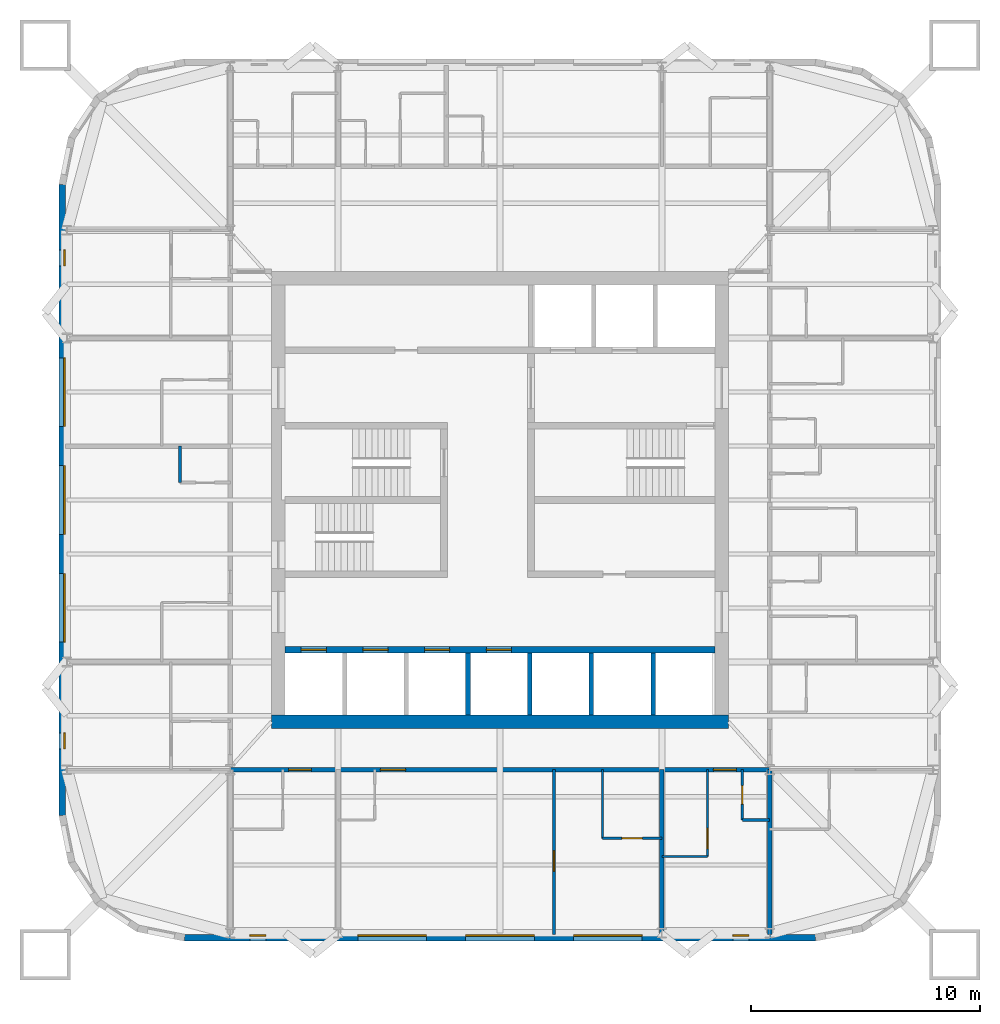
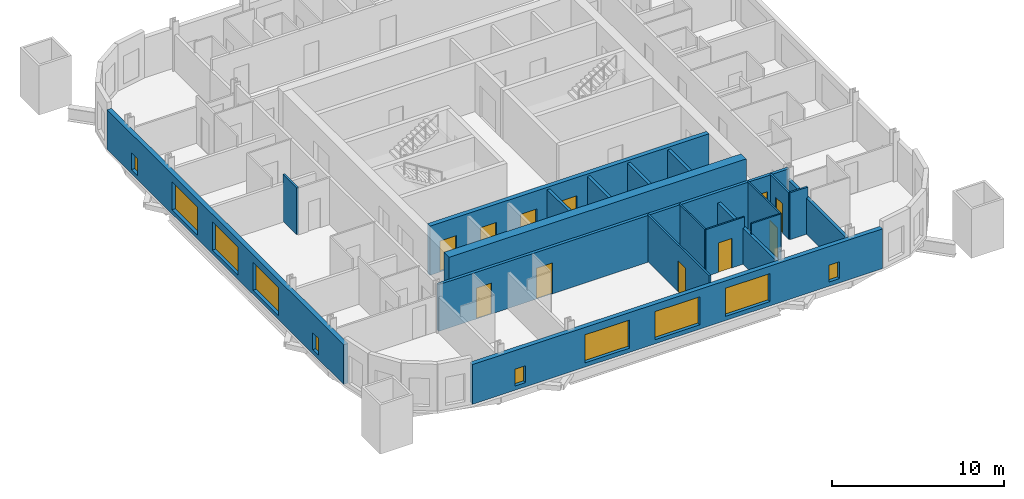
# One storey, part 3 of 9: 19 walls, 11 doors, 10 windows, 21 openings.
"""IFC4 building model written with IfcOpenShell, lengths in metres."""

import ifcopenshell
import ifcopenshell.guid

model = None  # the IFC model being written
_history = None  # IfcOwnerHistory: only IFC2X3 demands one
_inside = {}  # id of a spatial element -> (the spatial element, [elements in it])
_under = {}  # id of a project, library or spatial element -> (it, [spatial elements below it])
_declared = {}  # id of a project -> (the project, [libraries it declares])
_typed = {}  # id of a type object -> (the type object, [elements of that type])
_made_of = {}  # id of a material, layer set ... -> (it, [elements and type objects made of it])


def new_model(schema):
    """Start an empty IFC model of exactly this schema.

    Asked for "IFC4X3", IfcOpenShell would pick the latest addendum, in which some entities
    have other attributes; the version numbers below select the first issue.
    IFC2X3 requires an IfcOwnerHistory on every rooted entity: one is made here for all.
    """
    global model, _history
    if schema == "IFC4X3":
        model = ifcopenshell.file(schema_version=(4, 3, 0, 0))
    else:
        model = ifcopenshell.file(schema=schema)
    _inside.clear()
    _under.clear()
    _declared.clear()
    _typed.clear()
    _made_of.clear()
    _history = None
    if model.schema == "IFC2X3":
        org = make("IfcOrganization", Name="unknown")
        user = make(
            "IfcPersonAndOrganization",
            ThePerson=make("IfcPerson", FamilyName="unknown"),
            TheOrganization=org,
        )
        app = make(
            "IfcApplication",
            ApplicationDeveloper=org,
            Version="unknown",
            ApplicationFullName="unknown",
            ApplicationIdentifier="unknown",
        )
        _history = make(
            "IfcOwnerHistory",
            OwningUser=user,
            OwningApplication=app,
            ChangeAction="ADDED",
            CreationDate=0,
        )
    return model


def make(cls, **values):
    """One entity of the class cls with the attributes given. An attribute that is None is left unset."""
    return model.create_entity(
        cls, **{name: value for name, value in values.items() if value is not None}
    )


def rooted(cls, **values):
    """An entity with a GlobalId (a new one), such as an element, a storey or a relation."""
    return make(cls, GlobalId=ifcopenshell.guid.new(), OwnerHistory=_history, **values)


def si_unit(unit_type, name, prefix=None):
    """IfcSIUnit, for example si_unit("LENGTHUNIT", "METRE", prefix="MILLI")."""
    return make("IfcSIUnit", UnitType=unit_type, Prefix=prefix, Name=name)


def assignment(units):
    """IfcUnitAssignment: the units of a project."""
    return None if units is None else make("IfcUnitAssignment", Units=units)


def point(xyz):
    """IfcCartesianPoint."""
    return None if xyz is None else make("IfcCartesianPoint", Coordinates=xyz)


def direction(xyz):
    """IfcDirection."""
    return None if xyz is None else make("IfcDirection", DirectionRatios=xyz)


def frame(location, z_axis=None, x_axis=None):
    """IfcAxis2Placement3D, a coordinate frame: its origin and axes. An axis left out is left unset."""
    return make(
        "IfcAxis2Placement3D",
        Location=point(location),
        Axis=direction(z_axis),
        RefDirection=direction(x_axis),
    )


def frame_2d(location, x_axis=None):
    """IfcAxis2Placement2D, a coordinate frame in the plane: its origin and x axis."""
    return make(
        "IfcAxis2Placement2D", Location=point(location), RefDirection=direction(x_axis)
    )


def origin():
    """The frame at (0, 0, 0) with its axes left unset."""
    return frame((0.0, 0.0, 0.0))


def place(relative_to, where):
    """IfcLocalPlacement: puts the frame where relative to a parent placement (None: the world)."""
    return make(
        "IfcLocalPlacement", PlacementRelTo=relative_to, RelativePlacement=where
    )


def context(
    kind, dimensions, precision=None, world=None, true_north=None, identifier=None
):
    """IfcGeometricRepresentationContext, for example the 3D "Model" context."""
    return make(
        "IfcGeometricRepresentationContext",
        ContextIdentifier=identifier,
        ContextType=kind,
        CoordinateSpaceDimension=dimensions,
        Precision=precision,
        WorldCoordinateSystem=world,
        TrueNorth=true_north,
    )


def subcontext(parent, identifier, kind, view, scale=None):
    """IfcGeometricRepresentationSubContext, for example "Body" below "Model"."""
    return make(
        "IfcGeometricRepresentationSubContext",
        ContextIdentifier=identifier,
        ContextType=kind,
        ParentContext=parent,
        TargetScale=scale,
        TargetView=view,
    )


def project(units=None, contexts=None):
    """IfcProject with its units and contexts."""
    return rooted(
        "IfcProject",
        Name="project",
        RepresentationContexts=contexts,
        UnitsInContext=assignment(units),
    )


def spatial(cls, under=None, at=None, **own):
    """A site, building, storey or space (cls), placed at a placement, below another one or the project."""
    s = rooted(cls, ObjectPlacement=at, **own)
    if under is not None:
        _under.setdefault(under.id(), (under, []))[1].append(s)
    return s


def profile(cls, at=None, kind="AREA", **sizes):
    """A parametric profile (cls). Its sizes go by their IFC names, for example OverallWidth=200.0."""
    return make(cls, ProfileType=kind, Position=at, **sizes)


def rectangle(**sizes):
    """IfcRectangleProfileDef."""
    return profile("IfcRectangleProfileDef", **sizes)


def extrude(swept, where, along, depth):
    """IfcExtrudedAreaSolid: the profile swept, set in the frame where, extruded along a direction by depth."""
    return make(
        "IfcExtrudedAreaSolid",
        SweptArea=swept,
        Position=where,
        ExtrudedDirection=direction(along),
        Depth=depth,
    )


def shape(context_of_items, identifier, shape_type, items):
    """IfcShapeRepresentation: the items that make up one representation, for example the "Body"."""
    return make(
        "IfcShapeRepresentation",
        ContextOfItems=context_of_items,
        RepresentationIdentifier=identifier,
        RepresentationType=shape_type,
        Items=items,
    )


def material(Name=None, Category=None):
    """IfcMaterial."""
    return make("IfcMaterial", Name=Name, Category=Category)


def layer(
    of_material, thickness, ventilated=None, Name=None, Category=None, Priority=None
):
    """IfcMaterialLayer: one layer of a wall or slab, of a material (None: an air gap)."""
    return make(
        "IfcMaterialLayer",
        Material=of_material,
        LayerThickness=thickness,
        IsVentilated=ventilated,
        Name=Name,
        Category=Category,
        Priority=Priority,
    )


def layer_set(layers, Name=None):
    """IfcMaterialLayerSet."""
    return make("IfcMaterialLayerSet", MaterialLayers=layers, LayerSetName=Name)


def made_of(thing, what):
    """Note that an element or type object is made of a material, layer set ...; save() writes the relation."""
    if what is not None:
        _made_of.setdefault(what.id(), (what, []))[1].append(thing)
    return thing


def type_object(cls, material=None, **own):
    """A type object (cls), such as IfcWallType, which elements share."""
    return made_of(rooted(cls, **own), material)


def element(
    cls,
    number,
    at=None,
    inside=None,
    cuts=None,
    type_object=None,
    material=None,
    context=None,
    identifier="Body",
    shape_type=None,
    held_by="IfcProductDefinitionShape",
    body=None,
    shapes=None,
    **own,
):
    """One element of the class cls, such as IfcWall. Its Tag is "e" and its number.

    at: its placement. inside: the storey or other place that contains it. cuts: it is an
    opening in that element (IfcRelVoidsElement). A single representation is given by context,
    identifier, shape_type and body (its items); several are given by shapes. held_by: the class
    of the entity that holds the representations. save() writes the other relations.
    """
    e = rooted(cls, Tag="e%d" % number, ObjectPlacement=at, **own)
    if body is not None:
        shapes = [shape(context, identifier, shape_type, body)]
    if shapes is not None:
        e.Representation = make(held_by, Representations=shapes)
    if inside is not None:
        _inside.setdefault(inside.id(), (inside, []))[1].append(e)
    if cuts is not None:
        rooted(
            "IfcRelVoidsElement", RelatingBuildingElement=cuts, RelatedOpeningElement=e
        )
    if type_object is not None:
        _typed.setdefault(type_object.id(), (type_object, []))[1].append(e)
    return made_of(e, material)


def fill(opening, filler):
    """IfcRelFillsElement: the door or window that sits in an opening."""
    return rooted(
        "IfcRelFillsElement",
        RelatingOpeningElement=opening,
        RelatedBuildingElement=filler,
    )


def aggregate(whole, parts):
    """IfcRelAggregates: a whole, such as a stair, and the parts it consists of."""
    return rooted("IfcRelAggregates", RelatingObject=whole, RelatedObjects=parts)


def save(model, path):
    """Write the relations noted so far, then the file.

    IfcRelAggregates (storeys below a building ...), IfcRelContainedInSpatialStructure (elements
    in a storey), IfcRelDefinesByType, IfcRelAssociatesMaterial and IfcRelDeclares: one each for
    every whole, place, type object, material and project.
    """
    for whole, parts in _under.values():
        aggregate(whole, parts)
    for where, things in _inside.values():
        rooted(
            "IfcRelContainedInSpatialStructure",
            RelatedElements=things,
            RelatingStructure=where,
        )
    for kind, things in _typed.values():
        rooted("IfcRelDefinesByType", RelatedObjects=things, RelatingType=kind)
    for what, things in _made_of.values():
        rooted("IfcRelAssociatesMaterial", RelatedObjects=things, RelatingMaterial=what)
    for by, libraries in _declared.values():
        rooted("IfcRelDeclares", RelatingContext=by, RelatedDefinitions=libraries)
    model.write(path)


model = new_model("IFC4")

# Units and contexts
model_context = context("Model", 3, precision=1e-05, world=origin(), true_north=direction((0.0, 1.0)))
body_context = subcontext(model_context, "Body", "Model", "MODEL_VIEW")
ifc_project = project(units=[si_unit("LENGTHUNIT", "METRE"), si_unit("AREAUNIT", "SQUARE_METRE"), si_unit("VOLUMEUNIT", "CUBIC_METRE"), si_unit("PLANEANGLEUNIT", "RADIAN"), si_unit("MASSUNIT", "GRAM", prefix="KILO")], contexts=[model_context])

# Site, building, storey
site_placement = place(None, origin())
site = spatial("IfcSite", under=ifc_project, at=site_placement, CompositionType="ELEMENT")
building_placement = place(site_placement, origin())
building = spatial("IfcBuilding", under=site, at=building_placement, Name="Turquesa Mirador Hotel Tower", CompositionType="ELEMENT")
storey_placement = place(building_placement, frame((0.0, 0.0, 203.800048828125)))
storey = spatial("IfcBuildingStorey", under=building, at=storey_placement, Name="L55", CompositionType="ELEMENT", Elevation=203.800048828125)

# Wall, opening, door
ifc_material_1 = material(Name="Gypsum board on steel studs", Category="steel")
ifc_layer_1 = layer(ifc_material_1, 0.10009765625)
ifc_layer_set_1 = layer_set([ifc_layer_1], Name="BATHROOM WALL 100")
wall_type_1 = type_object("IfcWallType", Name="BATHROOM WALL 100", PredefinedType="PARTITIONING", material=ifc_layer_set_1)
wall_1_placement = place(storey_placement, frame((59.47998046875, 30.199951171875, 0.0), z_axis=(0.0, 0.0, 1.0), x_axis=(1.0, 0.0, 0.0)))
wall_1 = element("IfcWall", 1, at=wall_1_placement, inside=storey, type_object=wall_type_1, Name="Partition L55 010", PredefinedType="PARTITIONING", context=body_context, shape_type="SweptSolid", body=[
    extrude(rectangle(XDim=2.60009765625, YDim=0.10009765625, at=frame_2d((1.300048828125, 0.0))), origin(), (0.0, 0.0, 1.0), 3.329833984375),
])
opening_1_placement = place(wall_1_placement, frame((0.85009765625, 0.0, 0.0)))
opening_1 = element("IfcOpeningElement", 2, at=opening_1_placement, cuts=wall_1, Name="Opening D02", PredefinedType="OPENING", context=body_context, shape_type="SweptSolid", body=[
    extrude(rectangle(XDim=0.89990234375, YDim=2.10009765625, at=frame_2d((0.449951171875, 1.050048828125))), frame((0.0, 0.06005859375, 0.0), z_axis=(0.0, -1.0, 0.0), x_axis=(1.0, 0.0, 0.0)), (0.0, 0.0, 1.0), 0.1201171875),
])
ifc_material_2 = material(Name="Timber veneered door", Category="wood")
door_type_1 = type_object("IfcDoorType", Name="DOOR 900X2100 EN-SUITE", OperationType="SINGLE_SWING_RIGHT", PredefinedType="DOOR", material=ifc_material_2)
door_1_placement = place(opening_1_placement, origin())
door_1 = element("IfcDoor", 3, at=door_1_placement, inside=storey, type_object=door_type_1, Name="Door 5505B", OperationType="SINGLE_SWING_RIGHT", OverallHeight=2.10009765625, OverallWidth=0.89990234375, PredefinedType="DOOR", context=body_context, shape_type="SweptSolid", body=[
    extrude(rectangle(XDim=0.89990234375, YDim=2.10009765625, at=frame_2d((0.449951171875, 1.050048828125))), frame((0.0, 0.02490234375, 0.0), z_axis=(0.0, -1.0, 0.0), x_axis=(1.0, 0.0, 0.0)), (0.0, 0.0, 1.0), 0.050048828125),
])
fill(opening_1, door_1)

# Walls
wall_2_placement = place(storey_placement, frame((62.080078125, 29.39990234375, 0.0), z_axis=(0.0, 0.0, 1.0), x_axis=(1.0, 0.0, 0.0)))
element("IfcWall", 4, at=wall_2_placement, inside=storey, type_object=wall_type_1, Name="Partition L55 011", PredefinedType="PARTITIONING", context=body_context, shape_type="SweptSolid", body=[
    extrude(rectangle(XDim=2.0, YDim=0.10009765625, at=frame_2d((1.0, 0.0))), origin(), (0.0, 0.0, 1.0), 3.329833984375),
])
wall_3_placement = place(storey_placement, frame((59.47998046875, 30.199951171875, 0.0), z_axis=(0.0, 0.0, 1.0), x_axis=(0.0, 1.0, 0.0)))
element("IfcWall", 5, at=wall_3_placement, inside=storey, type_object=wall_type_1, Name="Partition L55 080", PredefinedType="PARTITIONING", context=body_context, shape_type="SweptSolid", body=[
    extrude(rectangle(XDim=3.0, YDim=0.10009765625, at=frame_2d((1.5, 0.0))), origin(), (0.0, 0.0, 1.0), 3.329833984375),
])

# Wall, opening, door
wall_4_placement = place(storey_placement, frame((64.080078125, 29.39990234375, 0.0), z_axis=(0.0, 0.0, 1.0), x_axis=(0.0, 1.0, 0.0)))
wall_4 = element("IfcWall", 6, at=wall_4_placement, inside=storey, type_object=wall_type_1, Name="Partition L55 083", PredefinedType="PARTITIONING", context=body_context, shape_type="SweptSolid", body=[
    extrude(rectangle(XDim=3.800048828125, YDim=0.10009765625, at=frame_2d((1.89990234375, 0.0))), origin(), (0.0, 0.0, 1.0), 3.329833984375),
])
opening_2_placement = place(wall_4_placement, frame((0.35009765625, 0.0, 0.0)))
opening_2 = element("IfcOpeningElement", 7, at=opening_2_placement, cuts=wall_4, Name="Opening D02", PredefinedType="OPENING", context=body_context, shape_type="SweptSolid", body=[
    extrude(rectangle(XDim=0.89990234375, YDim=2.10009765625, at=frame_2d((0.449951171875, 1.050048828125))), frame((0.0, 0.06005859375, 0.0), z_axis=(0.0, -1.0, 0.0), x_axis=(1.0, 0.0, 0.0)), (0.0, 0.0, 1.0), 0.1201171875),
])
door_2_placement = place(opening_2_placement, origin())
door_2 = element("IfcDoor", 8, at=door_2_placement, inside=storey, type_object=door_type_1, Name="Door 5506B", OperationType="SINGLE_SWING_RIGHT", OverallHeight=2.10009765625, OverallWidth=0.89990234375, PredefinedType="DOOR", context=body_context, shape_type="SweptSolid", body=[
    extrude(rectangle(XDim=0.89990234375, YDim=2.10009765625, at=frame_2d((0.449951171875, 1.050048828125))), frame((0.0, 0.02490234375, 0.0), z_axis=(0.0, -1.0, 0.0), x_axis=(1.0, 0.0, 0.0)), (0.0, 0.0, 1.0), 0.050048828125),
])
fill(opening_2, door_2)

# Wall, openings, doors
ifc_material_3 = material(Name="Concrete C50/60", Category="concrete")
ifc_layer_2 = layer(ifc_material_3, 0.300048828125)
ifc_layer_set_2 = layer_set([ifc_layer_2], Name="CORE INNER WALL 300")
wall_type_2 = type_object("IfcWallType", Name="CORE INNER WALL 300", PredefinedType="SHEAR", material=ifc_layer_set_2)
wall_5_placement = place(storey_placement, frame((45.60009765625, 38.449951171875, 0.0), z_axis=(0.0, 0.0, 1.0), x_axis=(1.0, 0.0, 0.0)))
wall_5 = element("IfcWall", 9, at=wall_5_placement, inside=storey, type_object=wall_type_2, Name="Core wall SL", PredefinedType="SHEAR", context=body_context, shape_type="SweptSolid", body=[
    extrude(rectangle(XDim=18.7998046875, YDim=0.300048828125, at=frame_2d((9.39990234375, 0.0))), origin(), (0.0, 0.0, 1.0), 3.5),
])
opening_3_placement = place(wall_5_placement, frame((0.699951171875, 0.0, 0.0)))
opening_3 = element("IfcOpeningElement", 10, at=opening_3_placement, cuts=wall_5, Name="Opening LD", PredefinedType="OPENING", context=body_context, shape_type="SweptSolid", body=[
    extrude(rectangle(XDim=1.10009765625, YDim=2.199951171875, at=frame_2d((0.550048828125, 1.10009765625))), frame((0.0, 0.159912109375, 0.0), z_axis=(0.0, -1.0, 0.0), x_axis=(1.0, 0.0, 0.0)), (0.0, 0.0, 1.0), 0.320068359375),
])
opening_4_placement = place(wall_5_placement, frame((3.39990234375, 0.0, 0.0)))
opening_4 = element("IfcOpeningElement", 11, at=opening_4_placement, cuts=wall_5, Name="Opening LD", PredefinedType="OPENING", context=body_context, shape_type="SweptSolid", body=[
    extrude(rectangle(XDim=1.10009765625, YDim=2.199951171875, at=frame_2d((0.550048828125, 1.10009765625))), frame((0.0, 0.159912109375, 0.0), z_axis=(0.0, -1.0, 0.0), x_axis=(1.0, 0.0, 0.0)), (0.0, 0.0, 1.0), 0.320068359375),
])
opening_5_placement = place(wall_5_placement, frame((6.10009765625, 0.0, 0.0)))
opening_5 = element("IfcOpeningElement", 12, at=opening_5_placement, cuts=wall_5, Name="Opening LD", PredefinedType="OPENING", context=body_context, shape_type="SweptSolid", body=[
    extrude(rectangle(XDim=1.10009765625, YDim=2.199951171875, at=frame_2d((0.550048828125, 1.10009765625))), frame((0.0, 0.159912109375, 0.0), z_axis=(0.0, -1.0, 0.0), x_axis=(1.0, 0.0, 0.0)), (0.0, 0.0, 1.0), 0.320068359375),
])
opening_6_placement = place(wall_5_placement, frame((8.800048828125, 0.0, 0.0)))
opening_6 = element("IfcOpeningElement", 13, at=opening_6_placement, cuts=wall_5, Name="Opening LD", PredefinedType="OPENING", context=body_context, shape_type="SweptSolid", body=[
    extrude(rectangle(XDim=1.10009765625, YDim=2.199951171875, at=frame_2d((0.550048828125, 1.10009765625))), frame((0.0, 0.159912109375, 0.0), z_axis=(0.0, -1.0, 0.0), x_axis=(1.0, 0.0, 0.0)), (0.0, 0.0, 1.0), 0.320068359375),
])
ifc_material_4 = material(Name="Stainless steel lift landing door", Category="steel")
door_type_2 = type_object("IfcDoorType", Name="LIFT LANDING DOOR 1100X2200", OperationType="SLIDING_TO_LEFT", PredefinedType="DOOR", material=ifc_material_4)
door_3_placement = place(opening_3_placement, origin())
door_3 = element("IfcDoor", 14, at=door_3_placement, inside=storey, type_object=door_type_2, Name="Lift B1 landing door", OperationType="SLIDING_TO_LEFT", OverallHeight=2.199951171875, OverallWidth=1.10009765625, PredefinedType="DOOR", context=body_context, shape_type="SweptSolid", body=[
    extrude(rectangle(XDim=1.10009765625, YDim=2.199951171875, at=frame_2d((0.550048828125, 1.10009765625))), frame((0.0, 0.02490234375, 0.0), z_axis=(0.0, -1.0, 0.0), x_axis=(1.0, 0.0, 0.0)), (0.0, 0.0, 1.0), 0.050048828125),
])
fill(opening_3, door_3)
door_4_placement = place(opening_4_placement, origin())
door_4 = element("IfcDoor", 15, at=door_4_placement, inside=storey, type_object=door_type_2, Name="Lift B2 landing door", OperationType="SLIDING_TO_LEFT", OverallHeight=2.199951171875, OverallWidth=1.10009765625, PredefinedType="DOOR", context=body_context, shape_type="SweptSolid", body=[
    extrude(rectangle(XDim=1.10009765625, YDim=2.199951171875, at=frame_2d((0.550048828125, 1.10009765625))), frame((0.0, 0.02490234375, 0.0), z_axis=(0.0, -1.0, 0.0), x_axis=(1.0, 0.0, 0.0)), (0.0, 0.0, 1.0), 0.050048828125),
])
fill(opening_4, door_4)
door_5_placement = place(opening_5_placement, origin())
door_5 = element("IfcDoor", 16, at=door_5_placement, inside=storey, type_object=door_type_2, Name="Lift B3 landing door", OperationType="SLIDING_TO_LEFT", OverallHeight=2.199951171875, OverallWidth=1.10009765625, PredefinedType="DOOR", context=body_context, shape_type="SweptSolid", body=[
    extrude(rectangle(XDim=1.10009765625, YDim=2.199951171875, at=frame_2d((0.550048828125, 1.10009765625))), frame((0.0, 0.02490234375, 0.0), z_axis=(0.0, -1.0, 0.0), x_axis=(1.0, 0.0, 0.0)), (0.0, 0.0, 1.0), 0.050048828125),
])
fill(opening_5, door_5)
door_6_placement = place(opening_6_placement, origin())
door_6 = element("IfcDoor", 17, at=door_6_placement, inside=storey, type_object=door_type_2, Name="Lift B4 landing door", OperationType="SLIDING_TO_LEFT", OverallHeight=2.199951171875, OverallWidth=1.10009765625, PredefinedType="DOOR", context=body_context, shape_type="SweptSolid", body=[
    extrude(rectangle(XDim=1.10009765625, YDim=2.199951171875, at=frame_2d((0.550048828125, 1.10009765625))), frame((0.0, 0.02490234375, 0.0), z_axis=(0.0, -1.0, 0.0), x_axis=(1.0, 0.0, 0.0)), (0.0, 0.0, 1.0), 0.050048828125),
])
fill(opening_6, door_6)

# Wall
ifc_material_5 = material(Name="Concrete C50/60", Category="concrete")
ifc_layer_3 = layer(ifc_material_5, 0.60009765625)
ifc_layer_set_3 = layer_set([ifc_layer_3], Name="CORE WALL 600")
wall_type_3 = type_object("IfcWallType", Name="CORE WALL 600", PredefinedType="SHEAR", material=ifc_layer_set_3)
wall_6_placement = place(storey_placement, frame((45.0, 35.300048828125, 0.0), z_axis=(0.0, 0.0, 1.0), x_axis=(1.0, 0.0, 0.0)))
element("IfcWall", 18, at=wall_6_placement, inside=storey, type_object=wall_type_3, Name="Core wall S", PredefinedType="SHEAR", context=body_context, shape_type="SweptSolid", body=[
    extrude(rectangle(XDim=20.0, YDim=0.60009765625, at=frame_2d((10.0, 0.0))), origin(), (0.0, 0.0, 1.0), 3.5),
])

# Wall, openings, doors
ifc_material_6 = material(Name="Fire-rated gypsum board on steel studs", Category="steel")
ifc_layer_4 = layer(ifc_material_6, 0.199951171875)
ifc_layer_set_4 = layer_set([ifc_layer_4], Name="CORRIDOR WALL 200")
wall_type_4 = type_object("IfcWallType", Name="CORRIDOR WALL 200", PredefinedType="PARTITIONING", material=ifc_layer_set_4)
wall_7_placement = place(storey_placement, frame((43.199951171875, 33.199951171875, 0.0), z_axis=(0.0, 0.0, 1.0), x_axis=(1.0, 0.0, 0.0)))
wall_7 = element("IfcWall", 19, at=wall_7_placement, inside=storey, type_object=wall_type_4, Name="Partition L55 003", PredefinedType="PARTITIONING", context=body_context, shape_type="SweptSolid", body=[
    extrude(rectangle(XDim=23.60009765625, YDim=0.199951171875, at=frame_2d((11.800048828125, 0.0))), origin(), (0.0, 0.0, 1.0), 3.329833984375),
])
opening_7_placement = place(wall_7_placement, frame((2.550048828125, 0.0, 0.0)))
opening_7 = element("IfcOpeningElement", 20, at=opening_7_placement, cuts=wall_7, Name="Opening D01", PredefinedType="OPENING", context=body_context, shape_type="SweptSolid", body=[
    extrude(rectangle(XDim=1.0, YDim=2.199951171875, at=frame_2d((0.5, 1.10009765625))), frame((0.0, 0.10986328125, 0.0), z_axis=(0.0, -1.0, 0.0), x_axis=(1.0, 0.0, 0.0)), (0.0, 0.0, 1.0), 0.219970703125),
])
opening_8_placement = place(wall_7_placement, frame((6.570068359375, 0.0, 0.0)))
opening_8 = element("IfcOpeningElement", 21, at=opening_8_placement, cuts=wall_7, Name="Opening D15", PredefinedType="OPENING", context=body_context, shape_type="SweptSolid", body=[
    extrude(rectangle(XDim=1.10009765625, YDim=2.199951171875, at=frame_2d((0.550048828125, 1.10009765625))), frame((0.0, 0.10986328125, 0.0), z_axis=(0.0, -1.0, 0.0), x_axis=(1.0, 0.0, 0.0)), (0.0, 0.0, 1.0), 0.219970703125),
])
opening_9_placement = place(wall_7_placement, frame((21.139892578125, 0.0, 0.0)))
opening_9 = element("IfcOpeningElement", 22, at=opening_9_placement, cuts=wall_7, Name="Opening D01", PredefinedType="OPENING", context=body_context, shape_type="SweptSolid", body=[
    extrude(rectangle(XDim=1.0, YDim=2.199951171875, at=frame_2d((0.5, 1.10009765625))), frame((0.0, 0.10986328125, 0.0), z_axis=(0.0, -1.0, 0.0), x_axis=(1.0, 0.0, 0.0)), (0.0, 0.0, 1.0), 0.219970703125),
])
ifc_material_7 = material(Name="Timber veneered fire door", Category="wood")
door_type_3 = type_object("IfcDoorType", Name="DOOR 1000X2200 GUEST ENTRY", OperationType="SINGLE_SWING_LEFT", PredefinedType="DOOR", material=ifc_material_7)
door_7_placement = place(opening_7_placement, origin())
door_7 = element("IfcDoor", 23, at=door_7_placement, inside=storey, type_object=door_type_3, Name="Door 5504", OperationType="SINGLE_SWING_LEFT", OverallHeight=2.199951171875, OverallWidth=1.0, PredefinedType="DOOR", context=body_context, shape_type="SweptSolid", body=[
    extrude(rectangle(XDim=1.0, YDim=2.199951171875, at=frame_2d((0.5, 1.10009765625))), frame((0.0, 0.02490234375, 0.0), z_axis=(0.0, -1.0, 0.0), x_axis=(1.0, 0.0, 0.0)), (0.0, 0.0, 1.0), 0.050048828125),
])
fill(opening_7, door_7)
door_8_placement = place(opening_9_placement, origin())
door_8 = element("IfcDoor", 24, at=door_8_placement, inside=storey, type_object=door_type_3, Name="Door 5506", OperationType="SINGLE_SWING_LEFT", OverallHeight=2.199951171875, OverallWidth=1.0, PredefinedType="DOOR", context=body_context, shape_type="SweptSolid", body=[
    extrude(rectangle(XDim=1.0, YDim=2.199951171875, at=frame_2d((0.5, 1.10009765625))), frame((0.0, 0.02490234375, 0.0), z_axis=(0.0, -1.0, 0.0), x_axis=(1.0, 0.0, 0.0)), (0.0, 0.0, 1.0), 0.050048828125),
])
fill(opening_9, door_8)
ifc_material_8 = material(Name="Timber veneered fire door", Category="wood")
door_type_4 = type_object("IfcDoorType", Name="DOOR 1100X2200 SUITE ENTRY", OperationType="SINGLE_SWING_LEFT", PredefinedType="DOOR", material=ifc_material_8)
door_9_placement = place(opening_8_placement, origin())
door_9 = element("IfcDoor", 25, at=door_9_placement, inside=storey, type_object=door_type_4, Name="Door 5505", OperationType="SINGLE_SWING_LEFT", OverallHeight=2.199951171875, OverallWidth=1.10009765625, PredefinedType="DOOR", context=body_context, shape_type="SweptSolid", body=[
    extrude(rectangle(XDim=1.10009765625, YDim=2.199951171875, at=frame_2d((0.550048828125, 1.10009765625))), frame((0.0, 0.02490234375, 0.0), z_axis=(0.0, -1.0, 0.0), x_axis=(1.0, 0.0, 0.0)), (0.0, 0.0, 1.0), 0.050048828125),
])
fill(opening_8, door_9)

# Wall, openings, windows
ifc_material_9 = material(Name="Limestone cladding on concrete block", Category="masonry")
ifc_layer_5 = layer(ifc_material_9, 0.300048828125)
ifc_layer_set_5 = layer_set([ifc_layer_5], Name="FACADE WALL 300 STONE SCREEN")
wall_type_5 = type_object("IfcWallType", Name="FACADE WALL 300 STONE SCREEN", PredefinedType="SOLIDWALL", material=ifc_layer_set_5)
wall_8_placement = place(storey_placement, frame((35.85009765625, 58.800048828125, 0.0), z_axis=(0.0, 0.0, 1.0), x_axis=(0.0, -1.0, 0.0)))
wall_8 = element("IfcWall", 26, at=wall_8_placement, inside=storey, type_object=wall_type_5, Name="Facade wall L55 14", PredefinedType="SOLIDWALL", context=body_context, shape_type="SweptSolid", body=[
    extrude(rectangle(XDim=27.60009765625, YDim=0.300048828125, at=frame_2d((13.800048828125, 0.0))), origin(), (0.0, 0.0, 1.0), 2.829833984375),
])
opening_10_placement = place(wall_8_placement, frame((2.860107421875, 0.0, 0.300048828125)))
opening_10 = element("IfcOpeningElement", 27, at=opening_10_placement, cuts=wall_8, Name="Opening WN34", PredefinedType="OPENING", context=body_context, shape_type="SweptSolid", body=[
    extrude(rectangle(XDim=0.699951171875, YDim=1.199951171875, at=frame_2d((0.35009765625, 0.60009765625))), frame((0.0, 0.159912109375, 0.0), z_axis=(0.0, -1.0, 0.0), x_axis=(1.0, 0.0, 0.0)), (0.0, 0.0, 1.0), 0.320068359375),
])
opening_11_placement = place(wall_8_placement, frame((7.580078125, 0.0, 0.300048828125)))
opening_11 = element("IfcOpeningElement", 28, at=opening_11_placement, cuts=wall_8, Name="Opening WN1", PredefinedType="OPENING", context=body_context, shape_type="SweptSolid", body=[
    extrude(rectangle(XDim=3.0, YDim=2.0, at=frame_2d((1.5, 1.0))), frame((0.0, 0.159912109375, 0.0), z_axis=(0.0, -1.0, 0.0), x_axis=(1.0, 0.0, 0.0)), (0.0, 0.0, 1.0), 0.320068359375),
])
opening_12_placement = place(wall_8_placement, frame((12.300048828125, 0.0, 0.300048828125)))
opening_12 = element("IfcOpeningElement", 29, at=opening_12_placement, cuts=wall_8, Name="Opening WN1", PredefinedType="OPENING", context=body_context, shape_type="SweptSolid", body=[
    extrude(rectangle(XDim=3.0, YDim=2.0, at=frame_2d((1.5, 1.0))), frame((0.0, 0.159912109375, 0.0), z_axis=(0.0, -1.0, 0.0), x_axis=(1.0, 0.0, 0.0)), (0.0, 0.0, 1.0), 0.320068359375),
])
opening_13_placement = place(wall_8_placement, frame((17.02001953125, 0.0, 0.300048828125)))
opening_13 = element("IfcOpeningElement", 30, at=opening_13_placement, cuts=wall_8, Name="Opening WN1", PredefinedType="OPENING", context=body_context, shape_type="SweptSolid", body=[
    extrude(rectangle(XDim=3.0, YDim=2.0, at=frame_2d((1.5, 1.0))), frame((0.0, 0.159912109375, 0.0), z_axis=(0.0, -1.0, 0.0), x_axis=(1.0, 0.0, 0.0)), (0.0, 0.0, 1.0), 0.320068359375),
])
opening_14_placement = place(wall_8_placement, frame((23.989990234375, 0.0, 0.300048828125)))
opening_14 = element("IfcOpeningElement", 31, at=opening_14_placement, cuts=wall_8, Name="Opening WN34", PredefinedType="OPENING", context=body_context, shape_type="SweptSolid", body=[
    extrude(rectangle(XDim=0.699951171875, YDim=1.199951171875, at=frame_2d((0.35009765625, 0.60009765625))), frame((0.0, 0.159912109375, 0.0), z_axis=(0.0, -1.0, 0.0), x_axis=(1.0, 0.0, 0.0)), (0.0, 0.0, 1.0), 0.320068359375),
])
ifc_material_10 = material(Name="Ceramic-fritted laminated glass", Category="glass")
window_type_1 = type_object("IfcWindowType", Name="FRITTED WINDOW 3000X2000", PartitioningType="DOUBLE_PANEL_HORIZONTAL", PredefinedType="WINDOW", material=ifc_material_10)
window_1_placement = place(opening_11_placement, origin())
window_1 = element("IfcWindow", 32, at=window_1_placement, inside=storey, type_object=window_type_1, Name="Window L55", OverallHeight=2.0, OverallWidth=3.0, PartitioningType="SINGLE_PANEL", PredefinedType="WINDOW", context=body_context, shape_type="SweptSolid", body=[
    extrude(rectangle(XDim=3.0, YDim=2.0, at=frame_2d((1.5, 1.0))), frame((0.0, 0.130126953125, 0.0), z_axis=(0.0, -1.0, 0.0), x_axis=(1.0, 0.0, 0.0)), (0.0, 0.0, 1.0), 0.06005859375),
])
fill(opening_11, window_1)
window_2_placement = place(opening_12_placement, origin())
window_2 = element("IfcWindow", 33, at=window_2_placement, inside=storey, type_object=window_type_1, Name="Window L55", OverallHeight=2.0, OverallWidth=3.0, PartitioningType="SINGLE_PANEL", PredefinedType="WINDOW", context=body_context, shape_type="SweptSolid", body=[
    extrude(rectangle(XDim=3.0, YDim=2.0, at=frame_2d((1.5, 1.0))), frame((0.0, 0.130126953125, 0.0), z_axis=(0.0, -1.0, 0.0), x_axis=(1.0, 0.0, 0.0)), (0.0, 0.0, 1.0), 0.06005859375),
])
fill(opening_12, window_2)
window_3_placement = place(opening_13_placement, origin())
window_3 = element("IfcWindow", 34, at=window_3_placement, inside=storey, type_object=window_type_1, Name="Window L55", OverallHeight=2.0, OverallWidth=3.0, PartitioningType="SINGLE_PANEL", PredefinedType="WINDOW", context=body_context, shape_type="SweptSolid", body=[
    extrude(rectangle(XDim=3.0, YDim=2.0, at=frame_2d((1.5, 1.0))), frame((0.0, 0.130126953125, 0.0), z_axis=(0.0, -1.0, 0.0), x_axis=(1.0, 0.0, 0.0)), (0.0, 0.0, 1.0), 0.06005859375),
])
fill(opening_13, window_3)
ifc_material_11 = material(Name="Ceramic-fritted laminated glass", Category="glass")
window_type_2 = type_object("IfcWindowType", Name="FRITTED WINDOW 700X1200", PartitioningType="DOUBLE_PANEL_HORIZONTAL", PredefinedType="WINDOW", material=ifc_material_11)
window_4_placement = place(opening_10_placement, origin())
window_4 = element("IfcWindow", 35, at=window_4_placement, inside=storey, type_object=window_type_2, Name="Window L55", OverallHeight=1.199951171875, OverallWidth=0.699951171875, PartitioningType="SINGLE_PANEL", PredefinedType="WINDOW", context=body_context, shape_type="SweptSolid", body=[
    extrude(rectangle(XDim=0.699951171875, YDim=1.199951171875, at=frame_2d((0.35009765625, 0.60009765625))), frame((0.0, 0.130126953125, 0.0), z_axis=(0.0, -1.0, 0.0), x_axis=(1.0, 0.0, 0.0)), (0.0, 0.0, 1.0), 0.06005859375),
])
fill(opening_10, window_4)
window_5_placement = place(opening_14_placement, origin())
window_5 = element("IfcWindow", 36, at=window_5_placement, inside=storey, type_object=window_type_2, Name="Window L55", OverallHeight=1.199951171875, OverallWidth=0.699951171875, PartitioningType="SINGLE_PANEL", PredefinedType="WINDOW", context=body_context, shape_type="SweptSolid", body=[
    extrude(rectangle(XDim=0.699951171875, YDim=1.199951171875, at=frame_2d((0.35009765625, 0.60009765625))), frame((0.0, 0.130126953125, 0.0), z_axis=(0.0, -1.0, 0.0), x_axis=(1.0, 0.0, 0.0)), (0.0, 0.0, 1.0), 0.06005859375),
])
fill(opening_14, window_5)

wall_9_placement = place(storey_placement, frame((41.199951171875, 25.85009765625, 0.0), z_axis=(0.0, 0.0, 1.0), x_axis=(1.0, 0.0, 0.0)))
wall_9 = element("IfcWall", 37, at=wall_9_placement, inside=storey, type_object=wall_type_5, Name="Facade wall L55 19", PredefinedType="SOLIDWALL", context=body_context, shape_type="SweptSolid", body=[
    extrude(rectangle(XDim=27.60009765625, YDim=0.300048828125, at=frame_2d((13.800048828125, 0.0))), origin(), (0.0, 0.0, 1.0), 2.829833984375),
])
opening_15_placement = place(wall_9_placement, frame((2.860107421875, 0.0, 0.300048828125)))
opening_15 = element("IfcOpeningElement", 38, at=opening_15_placement, cuts=wall_9, Name="Opening WN34", PredefinedType="OPENING", context=body_context, shape_type="SweptSolid", body=[
    extrude(rectangle(XDim=0.699951171875, YDim=1.199951171875, at=frame_2d((0.35009765625, 0.60009765625))), frame((0.0, 0.159912109375, 0.0), z_axis=(0.0, -1.0, 0.0), x_axis=(1.0, 0.0, 0.0)), (0.0, 0.0, 1.0), 0.320068359375),
])
opening_16_placement = place(wall_9_placement, frame((7.580078125, 0.0, 0.300048828125)))
opening_16 = element("IfcOpeningElement", 39, at=opening_16_placement, cuts=wall_9, Name="Opening WN1", PredefinedType="OPENING", context=body_context, shape_type="SweptSolid", body=[
    extrude(rectangle(XDim=3.0, YDim=2.0, at=frame_2d((1.5, 1.0))), frame((0.0, 0.159912109375, 0.0), z_axis=(0.0, -1.0, 0.0), x_axis=(1.0, 0.0, 0.0)), (0.0, 0.0, 1.0), 0.320068359375),
])
opening_17_placement = place(wall_9_placement, frame((12.300048828125, 0.0, 0.300048828125)))
opening_17 = element("IfcOpeningElement", 40, at=opening_17_placement, cuts=wall_9, Name="Opening WN1", PredefinedType="OPENING", context=body_context, shape_type="SweptSolid", body=[
    extrude(rectangle(XDim=3.0, YDim=2.0, at=frame_2d((1.5, 1.0))), frame((0.0, 0.159912109375, 0.0), z_axis=(0.0, -1.0, 0.0), x_axis=(1.0, 0.0, 0.0)), (0.0, 0.0, 1.0), 0.320068359375),
])
opening_18_placement = place(wall_9_placement, frame((17.02001953125, 0.0, 0.300048828125)))
opening_18 = element("IfcOpeningElement", 41, at=opening_18_placement, cuts=wall_9, Name="Opening WN1", PredefinedType="OPENING", context=body_context, shape_type="SweptSolid", body=[
    extrude(rectangle(XDim=3.0, YDim=2.0, at=frame_2d((1.5, 1.0))), frame((0.0, 0.159912109375, 0.0), z_axis=(0.0, -1.0, 0.0), x_axis=(1.0, 0.0, 0.0)), (0.0, 0.0, 1.0), 0.320068359375),
])
opening_19_placement = place(wall_9_placement, frame((23.989990234375, 0.0, 0.300048828125)))
opening_19 = element("IfcOpeningElement", 42, at=opening_19_placement, cuts=wall_9, Name="Opening WN34", PredefinedType="OPENING", context=body_context, shape_type="SweptSolid", body=[
    extrude(rectangle(XDim=0.699951171875, YDim=1.199951171875, at=frame_2d((0.35009765625, 0.60009765625))), frame((0.0, 0.159912109375, 0.0), z_axis=(0.0, -1.0, 0.0), x_axis=(1.0, 0.0, 0.0)), (0.0, 0.0, 1.0), 0.320068359375),
])
window_6_placement = place(opening_16_placement, origin())
window_6 = element("IfcWindow", 43, at=window_6_placement, inside=storey, type_object=window_type_1, Name="Window L55", OverallHeight=2.0, OverallWidth=3.0, PartitioningType="SINGLE_PANEL", PredefinedType="WINDOW", context=body_context, shape_type="SweptSolid", body=[
    extrude(rectangle(XDim=3.0, YDim=2.0, at=frame_2d((1.5, 1.0))), frame((0.0, 0.130126953125, 0.0), z_axis=(0.0, -1.0, 0.0), x_axis=(1.0, 0.0, 0.0)), (0.0, 0.0, 1.0), 0.06005859375),
])
fill(opening_16, window_6)
window_7_placement = place(opening_17_placement, origin())
window_7 = element("IfcWindow", 44, at=window_7_placement, inside=storey, type_object=window_type_1, Name="Window L55", OverallHeight=2.0, OverallWidth=3.0, PartitioningType="SINGLE_PANEL", PredefinedType="WINDOW", context=body_context, shape_type="SweptSolid", body=[
    extrude(rectangle(XDim=3.0, YDim=2.0, at=frame_2d((1.5, 1.0))), frame((0.0, 0.130126953125, 0.0), z_axis=(0.0, -1.0, 0.0), x_axis=(1.0, 0.0, 0.0)), (0.0, 0.0, 1.0), 0.06005859375),
])
fill(opening_17, window_7)
window_8_placement = place(opening_18_placement, origin())
window_8 = element("IfcWindow", 45, at=window_8_placement, inside=storey, type_object=window_type_1, Name="Window L55", OverallHeight=2.0, OverallWidth=3.0, PartitioningType="SINGLE_PANEL", PredefinedType="WINDOW", context=body_context, shape_type="SweptSolid", body=[
    extrude(rectangle(XDim=3.0, YDim=2.0, at=frame_2d((1.5, 1.0))), frame((0.0, 0.130126953125, 0.0), z_axis=(0.0, -1.0, 0.0), x_axis=(1.0, 0.0, 0.0)), (0.0, 0.0, 1.0), 0.06005859375),
])
fill(opening_18, window_8)
window_9_placement = place(opening_15_placement, origin())
window_9 = element("IfcWindow", 46, at=window_9_placement, inside=storey, type_object=window_type_2, Name="Window L55", OverallHeight=1.199951171875, OverallWidth=0.699951171875, PartitioningType="SINGLE_PANEL", PredefinedType="WINDOW", context=body_context, shape_type="SweptSolid", body=[
    extrude(rectangle(XDim=0.699951171875, YDim=1.199951171875, at=frame_2d((0.35009765625, 0.60009765625))), frame((0.0, 0.130126953125, 0.0), z_axis=(0.0, -1.0, 0.0), x_axis=(1.0, 0.0, 0.0)), (0.0, 0.0, 1.0), 0.06005859375),
])
fill(opening_15, window_9)
window_10_placement = place(opening_19_placement, origin())
window_10 = element("IfcWindow", 47, at=window_10_placement, inside=storey, type_object=window_type_2, Name="Window L55", OverallHeight=1.199951171875, OverallWidth=0.699951171875, PartitioningType="SINGLE_PANEL", PredefinedType="WINDOW", context=body_context, shape_type="SweptSolid", body=[
    extrude(rectangle(XDim=0.699951171875, YDim=1.199951171875, at=frame_2d((0.35009765625, 0.60009765625))), frame((0.0, 0.130126953125, 0.0), z_axis=(0.0, -1.0, 0.0), x_axis=(1.0, 0.0, 0.0)), (0.0, 0.0, 1.0), 0.06005859375),
])
fill(opening_19, window_10)

# Walls
ifc_material_12 = material(Name="Fire-rated gypsum shaft wall on steel studs", Category="steel")
ifc_layer_6 = layer(ifc_material_12, 0.199951171875)
ifc_layer_set_6 = layer_set([ifc_layer_6], Name="LIFT SHAFT DIVIDER 200")
wall_type_6 = type_object("IfcWallType", Name="LIFT SHAFT DIVIDER 200", PredefinedType="PARTITIONING", material=ifc_layer_set_6)
for number, where, z_axis, x_axis, name in (
    (48, (53.60009765625, 35.60009765625, 0.0), (0.0, 0.0, 1.0), (0.0, 1.0, 0.0), "Lift shaft divider"),
    (49, (56.300048828125, 35.60009765625, 0.0), (0.0, 0.0, 1.0), (0.0, 1.0, 0.0), "Lift shaft divider"),
    (50, (59.0, 35.60009765625, 0.0), (0.0, 0.0, 1.0), (0.0, 1.0, 0.0), "Lift shaft divider"),
    (51, (61.699951171875, 35.60009765625, 0.0), (0.0, 0.0, 1.0), (0.0, 1.0, 0.0), "Lift shaft divider"),
):
    element("IfcWall", number, at=place(storey_placement, frame(where, z_axis=z_axis, x_axis=x_axis)), inside=storey, type_object=wall_type_6, Name=name, PredefinedType="PARTITIONING", context=body_context, shape_type="SweptSolid", body=[
        extrude(rectangle(XDim=2.699951171875, YDim=0.199951171875, at=frame_2d((1.35009765625, 0.0))), origin(), (0.0, 0.0, 1.0), 3.329833984375),
    ])
ifc_material_13 = material(Name="Fire-rated gypsum board on steel studs", Category="steel")
ifc_layer_7 = layer(ifc_material_13, 0.199951171875)
ifc_layer_set_7 = layer_set([ifc_layer_7], Name="PARTY WALL 200")
wall_type_7 = type_object("IfcWallType", Name="PARTY WALL 200", PredefinedType="PARTITIONING", material=ifc_layer_set_7)
for number, where, z_axis, x_axis, name in (
    (52, (66.800048828125, 26.0, 0.0), (0.0, 0.0, 1.0), (0.0, 1.0, 0.0), "Partition L55 067"),
    (53, (62.080078125, 26.0, 0.0), (0.0, 0.0, 1.0), (0.0, 1.0, 0.0), "Partition L55 081"),
):
    element("IfcWall", number, at=place(storey_placement, frame(where, z_axis=z_axis, x_axis=x_axis)), inside=storey, type_object=wall_type_7, Name=name, PredefinedType="PARTITIONING", context=body_context, shape_type="SweptSolid", body=[
        extrude(rectangle(XDim=7.199951171875, YDim=0.199951171875, at=frame_2d((3.60009765625, 0.0))), origin(), (0.0, 0.0, 1.0), 2.572998046875),
    ])
ifc_material_14 = material(Name="Acoustic gypsum board on steel studs", Category="steel")
ifc_layer_8 = layer(ifc_material_14, 0.125)
ifc_layer_set_8 = layer_set([ifc_layer_8], Name="SUITE PARTITION 125")
wall_type_8 = type_object("IfcWallType", Name="SUITE PARTITION 125", PredefinedType="PARTITIONING", material=ifc_layer_set_8)
wall_10_placement = place(storey_placement, frame((65.60009765625, 31.0, 0.0), z_axis=(0.0, 0.0, 1.0), x_axis=(1.0, 0.0, 0.0)))
element("IfcWall", 54, at=wall_10_placement, inside=storey, type_object=wall_type_8, Name="Partition L55 007", PredefinedType="PARTITIONING", context=body_context, shape_type="SweptSolid", body=[
    extrude(rectangle(XDim=1.199951171875, YDim=0.125, at=frame_2d((0.60009765625, 0.0))), origin(), (0.0, 0.0, 1.0), 3.329833984375),
])
wall_11_placement = place(storey_placement, frame((41.0, 45.760009765625, 0.0), z_axis=(0.0, 0.0, 1.0), x_axis=(0.0, 1.0, 0.0)))
element("IfcWall", 55, at=wall_11_placement, inside=storey, type_object=wall_type_8, Name="Partition L55 050", PredefinedType="PARTITIONING", context=body_context, shape_type="SweptSolid", body=[
    extrude(rectangle(XDim=1.60009765625, YDim=0.125, at=frame_2d((0.800048828125, 0.0))), origin(), (0.0, 0.0, 1.0), 3.329833984375),
])

# Wall, opening, door
wall_12_placement = place(storey_placement, frame((65.60009765625, 31.0, 0.0), z_axis=(0.0, 0.0, 1.0), x_axis=(0.0, 1.0, 0.0)))
wall_12 = element("IfcWall", 56, at=wall_12_placement, inside=storey, type_object=wall_type_8, Name="Partition L55 065", PredefinedType="PARTITIONING", context=body_context, shape_type="SweptSolid", body=[
    extrude(rectangle(XDim=2.199951171875, YDim=0.125, at=frame_2d((1.10009765625, 0.0))), origin(), (0.0, 0.0, 1.0), 3.329833984375),
])
opening_20_placement = place(wall_12_placement, frame((0.699951171875, 0.0, 0.0)))
opening_20 = element("IfcOpeningElement", 57, at=opening_20_placement, cuts=wall_12, Name="Opening D20", PredefinedType="OPENING", context=body_context, shape_type="SweptSolid", body=[
    extrude(rectangle(XDim=0.800048828125, YDim=2.10009765625, at=frame_2d((0.39990234375, 1.050048828125))), frame((0.0, 0.072509765625, 0.0), z_axis=(0.0, -1.0, 0.0), x_axis=(1.0, 0.0, 0.0)), (0.0, 0.0, 1.0), 0.14501953125),
])
ifc_material_15 = material(Name="Timber veneered sliding door", Category="wood")
door_type_5 = type_object("IfcDoorType", Name="DOOR 800X2100 WARDROBE", OperationType="SLIDING_TO_LEFT", PredefinedType="DOOR", material=ifc_material_15)
door_10_placement = place(opening_20_placement, origin())
door_10 = element("IfcDoor", 58, at=door_10_placement, inside=storey, type_object=door_type_5, Name="Door 5506W", OperationType="SLIDING_TO_LEFT", OverallHeight=2.10009765625, OverallWidth=0.800048828125, PredefinedType="DOOR", context=body_context, shape_type="SweptSolid", body=[
    extrude(rectangle(XDim=0.800048828125, YDim=2.10009765625, at=frame_2d((0.39990234375, 1.050048828125))), frame((0.0, 0.02490234375, 0.0), z_axis=(0.0, -1.0, 0.0), x_axis=(1.0, 0.0, 0.0)), (0.0, 0.0, 1.0), 0.050048828125),
])
fill(opening_20, door_10)

wall_13_placement = place(storey_placement, frame((57.360107421875, 26.0, 0.0), z_axis=(0.0, 0.0, 1.0), x_axis=(0.0, 1.0, 0.0)))
wall_13 = element("IfcWall", 59, at=wall_13_placement, inside=storey, type_object=wall_type_8, Name="Partition L55 079", PredefinedType="PARTITIONING", context=body_context, shape_type="SweptSolid", body=[
    extrude(rectangle(XDim=7.199951171875, YDim=0.125, at=frame_2d((3.60009765625, 0.0))), origin(), (0.0, 0.0, 1.0), 3.329833984375),
])
opening_21_placement = place(wall_13_placement, frame((2.75, 0.0, 0.0)))
opening_21 = element("IfcOpeningElement", 60, at=opening_21_placement, cuts=wall_13, Name="Opening D17", PredefinedType="OPENING", context=body_context, shape_type="SweptSolid", body=[
    extrude(rectangle(XDim=0.89990234375, YDim=2.199951171875, at=frame_2d((0.449951171875, 1.10009765625))), frame((0.0, 0.072509765625, 0.0), z_axis=(0.0, -1.0, 0.0), x_axis=(1.0, 0.0, 0.0)), (0.0, 0.0, 1.0), 0.14501953125),
])
ifc_material_16 = material(Name="Timber veneered door", Category="wood")
door_type_6 = type_object("IfcDoorType", Name="DOOR 900X2200 SUITE INTERNAL", OperationType="SINGLE_SWING_LEFT", PredefinedType="DOOR", material=ifc_material_16)
door_11_placement = place(opening_21_placement, origin())
door_11 = element("IfcDoor", 61, at=door_11_placement, inside=storey, type_object=door_type_6, Name="Door 5505R", OperationType="SINGLE_SWING_LEFT", OverallHeight=2.199951171875, OverallWidth=0.89990234375, PredefinedType="DOOR", context=body_context, shape_type="SweptSolid", body=[
    extrude(rectangle(XDim=0.89990234375, YDim=2.199951171875, at=frame_2d((0.449951171875, 1.10009765625))), frame((0.0, 0.02490234375, 0.0), z_axis=(0.0, -1.0, 0.0), x_axis=(1.0, 0.0, 0.0)), (0.0, 0.0, 1.0), 0.050048828125),
])
fill(opening_21, door_11)

save(model, "model.ifc")
